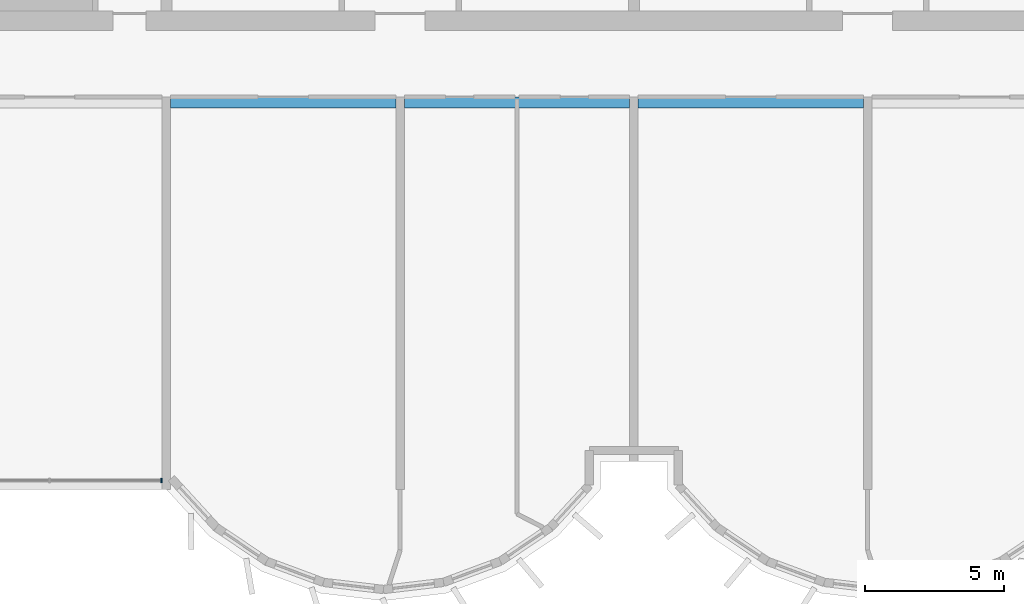
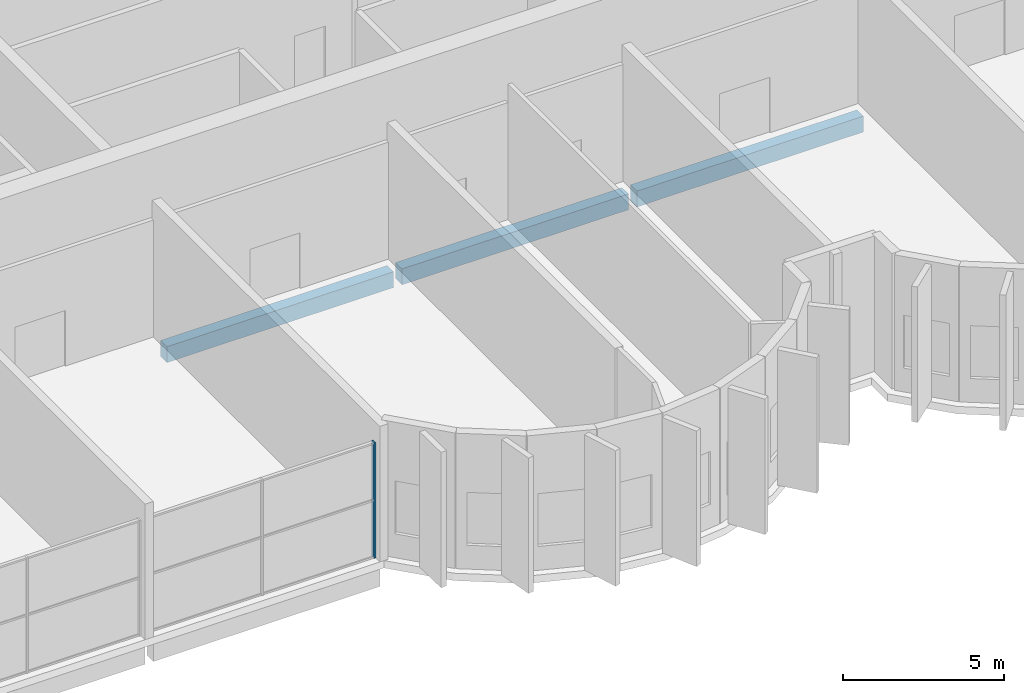
# One storey, part 3 of 19: 3 beams, 1 member, 1 element without a shape of its own.
"""IFC4 building model written with IfcOpenShell, lengths in metres."""

import ifcopenshell
import ifcopenshell.guid

model = None  # the IFC model being written
_history = None  # IfcOwnerHistory: only IFC2X3 demands one
_inside = {}  # id of a spatial element -> (the spatial element, [elements in it])
_under = {}  # id of a project, library or spatial element -> (it, [spatial elements below it])
_declared = {}  # id of a project -> (the project, [libraries it declares])
_typed = {}  # id of a type object -> (the type object, [elements of that type])
_made_of = {}  # id of a material, layer set ... -> (it, [elements and type objects made of it])


def new_model(schema):
    """Start an empty IFC model of exactly this schema.

    Asked for "IFC4X3", IfcOpenShell would pick the latest addendum, in which some entities
    have other attributes; the version numbers below select the first issue.
    IFC2X3 requires an IfcOwnerHistory on every rooted entity: one is made here for all.
    """
    global model, _history
    if schema == "IFC4X3":
        model = ifcopenshell.file(schema_version=(4, 3, 0, 0))
    else:
        model = ifcopenshell.file(schema=schema)
    _inside.clear()
    _under.clear()
    _declared.clear()
    _typed.clear()
    _made_of.clear()
    _history = None
    if model.schema == "IFC2X3":
        org = make("IfcOrganization", Name="unknown")
        user = make(
            "IfcPersonAndOrganization",
            ThePerson=make("IfcPerson", FamilyName="unknown"),
            TheOrganization=org,
        )
        app = make(
            "IfcApplication",
            ApplicationDeveloper=org,
            Version="unknown",
            ApplicationFullName="unknown",
            ApplicationIdentifier="unknown",
        )
        _history = make(
            "IfcOwnerHistory",
            OwningUser=user,
            OwningApplication=app,
            ChangeAction="ADDED",
            CreationDate=0,
        )
    return model


def make(cls, **values):
    """One entity of the class cls with the attributes given. An attribute that is None is left unset."""
    return model.create_entity(
        cls, **{name: value for name, value in values.items() if value is not None}
    )


def rooted(cls, **values):
    """An entity with a GlobalId (a new one), such as an element, a storey or a relation."""
    return make(cls, GlobalId=ifcopenshell.guid.new(), OwnerHistory=_history, **values)


def si_unit(unit_type, name, prefix=None):
    """IfcSIUnit, for example si_unit("LENGTHUNIT", "METRE", prefix="MILLI")."""
    return make("IfcSIUnit", UnitType=unit_type, Prefix=prefix, Name=name)


def assignment(units):
    """IfcUnitAssignment: the units of a project."""
    return None if units is None else make("IfcUnitAssignment", Units=units)


def point(xyz):
    """IfcCartesianPoint."""
    return None if xyz is None else make("IfcCartesianPoint", Coordinates=xyz)


def direction(xyz):
    """IfcDirection."""
    return None if xyz is None else make("IfcDirection", DirectionRatios=xyz)


def frame(location, z_axis=None, x_axis=None):
    """IfcAxis2Placement3D, a coordinate frame: its origin and axes. An axis left out is left unset."""
    return make(
        "IfcAxis2Placement3D",
        Location=point(location),
        Axis=direction(z_axis),
        RefDirection=direction(x_axis),
    )


def frame_2d(location, x_axis=None):
    """IfcAxis2Placement2D, a coordinate frame in the plane: its origin and x axis."""
    return make(
        "IfcAxis2Placement2D", Location=point(location), RefDirection=direction(x_axis)
    )


def origin():
    """The frame at (0, 0, 0) with its axes left unset."""
    return frame((0.0, 0.0, 0.0))


def origin_2d():
    """The frame at (0, 0) in the plane with its x axis left unset."""
    return frame_2d((0.0, 0.0))


def place(relative_to, where):
    """IfcLocalPlacement: puts the frame where relative to a parent placement (None: the world)."""
    return make(
        "IfcLocalPlacement", PlacementRelTo=relative_to, RelativePlacement=where
    )


def context(
    kind, dimensions, precision=None, world=None, true_north=None, identifier=None
):
    """IfcGeometricRepresentationContext, for example the 3D "Model" context."""
    return make(
        "IfcGeometricRepresentationContext",
        ContextIdentifier=identifier,
        ContextType=kind,
        CoordinateSpaceDimension=dimensions,
        Precision=precision,
        WorldCoordinateSystem=world,
        TrueNorth=true_north,
    )


def subcontext(parent, identifier, kind, view, scale=None):
    """IfcGeometricRepresentationSubContext, for example "Body" below "Model"."""
    return make(
        "IfcGeometricRepresentationSubContext",
        ContextIdentifier=identifier,
        ContextType=kind,
        ParentContext=parent,
        TargetScale=scale,
        TargetView=view,
    )


def project(units=None, contexts=None):
    """IfcProject with its units and contexts."""
    return rooted(
        "IfcProject",
        Name="project",
        RepresentationContexts=contexts,
        UnitsInContext=assignment(units),
    )


def spatial(cls, under=None, at=None, **own):
    """A site, building, storey or space (cls), placed at a placement, below another one or the project."""
    s = rooted(cls, ObjectPlacement=at, **own)
    if under is not None:
        _under.setdefault(under.id(), (under, []))[1].append(s)
    return s


def profile(cls, at=None, kind="AREA", **sizes):
    """A parametric profile (cls). Its sizes go by their IFC names, for example OverallWidth=200.0."""
    return make(cls, ProfileType=kind, Position=at, **sizes)


def rectangle(**sizes):
    """IfcRectangleProfileDef."""
    return profile("IfcRectangleProfileDef", **sizes)


def extrude(swept, where, along, depth):
    """IfcExtrudedAreaSolid: the profile swept, set in the frame where, extruded along a direction by depth."""
    return make(
        "IfcExtrudedAreaSolid",
        SweptArea=swept,
        Position=where,
        ExtrudedDirection=direction(along),
        Depth=depth,
    )


def shape(context_of_items, identifier, shape_type, items):
    """IfcShapeRepresentation: the items that make up one representation, for example the "Body"."""
    return make(
        "IfcShapeRepresentation",
        ContextOfItems=context_of_items,
        RepresentationIdentifier=identifier,
        RepresentationType=shape_type,
        Items=items,
    )


def source(mapping_origin, context_of_items, identifier, shape_type, items):
    """IfcRepresentationMap: a shape defined once, which mapped items show again and again."""
    return make(
        "IfcRepresentationMap",
        MappingOrigin=mapping_origin,
        MappedRepresentation=shape(context_of_items, identifier, shape_type, items),
    )


def transform(
    local_origin,
    x_axis=None,
    y_axis=None,
    z_axis=None,
    scale=None,
    scale2=None,
    scale3=None,
    uniform=True,
):
    """IfcCartesianTransformationOperator3D, or its non-uniform kind. x_axis, y_axis, z_axis: its Axis1, 2, 3."""
    if uniform:
        return make(
            "IfcCartesianTransformationOperator3D",
            Axis1=direction(x_axis),
            Axis2=direction(y_axis),
            LocalOrigin=point(local_origin),
            Scale=scale,
            Axis3=direction(z_axis),
        )
    return make(
        "IfcCartesianTransformationOperator3DnonUniform",
        Axis1=direction(x_axis),
        Axis2=direction(y_axis),
        LocalOrigin=point(local_origin),
        Scale=scale,
        Axis3=direction(z_axis),
        Scale2=scale2,
        Scale3=scale3,
    )


def mapped(mapping_source, mapping_target):
    """IfcMappedItem: shows the shape of a source again, moved by a transform."""
    return make(
        "IfcMappedItem", MappingSource=mapping_source, MappingTarget=mapping_target
    )


def material(Name=None, Category=None):
    """IfcMaterial."""
    return make("IfcMaterial", Name=Name, Category=Category)


def material_profile(
    of_material, cross_section, Name=None, Category=None, Priority=None
):
    """IfcMaterialProfile: a cross section and its material."""
    return make(
        "IfcMaterialProfile",
        Name=Name,
        Material=of_material,
        Profile=cross_section,
        Priority=Priority,
        Category=Category,
    )


def profile_set(profiles, Name=None, composite=None):
    """IfcMaterialProfileSet."""
    return make(
        "IfcMaterialProfileSet",
        Name=Name,
        MaterialProfiles=profiles,
        CompositeProfile=composite,
    )


def made_of(thing, what):
    """Note that an element or type object is made of a material, layer set ...; save() writes the relation."""
    if what is not None:
        _made_of.setdefault(what.id(), (what, []))[1].append(thing)
    return thing


def type_object(cls, material=None, **own):
    """A type object (cls), such as IfcWallType, which elements share."""
    return made_of(rooted(cls, **own), material)


def element(
    cls,
    number,
    at=None,
    inside=None,
    cuts=None,
    type_object=None,
    material=None,
    context=None,
    identifier="Body",
    shape_type=None,
    held_by="IfcProductDefinitionShape",
    body=None,
    shapes=None,
    **own,
):
    """One element of the class cls, such as IfcWall. Its Tag is "e" and its number.

    at: its placement. inside: the storey or other place that contains it. cuts: it is an
    opening in that element (IfcRelVoidsElement). A single representation is given by context,
    identifier, shape_type and body (its items); several are given by shapes. held_by: the class
    of the entity that holds the representations. save() writes the other relations.
    """
    e = rooted(cls, Tag="e%d" % number, ObjectPlacement=at, **own)
    if body is not None:
        shapes = [shape(context, identifier, shape_type, body)]
    if shapes is not None:
        e.Representation = make(held_by, Representations=shapes)
    if inside is not None:
        _inside.setdefault(inside.id(), (inside, []))[1].append(e)
    if cuts is not None:
        rooted(
            "IfcRelVoidsElement", RelatingBuildingElement=cuts, RelatedOpeningElement=e
        )
    if type_object is not None:
        _typed.setdefault(type_object.id(), (type_object, []))[1].append(e)
    return made_of(e, material)


def aggregate(whole, parts):
    """IfcRelAggregates: a whole, such as a stair, and the parts it consists of."""
    return rooted("IfcRelAggregates", RelatingObject=whole, RelatedObjects=parts)


def save(model, path):
    """Write the relations noted so far, then the file.

    IfcRelAggregates (storeys below a building ...), IfcRelContainedInSpatialStructure (elements
    in a storey), IfcRelDefinesByType, IfcRelAssociatesMaterial and IfcRelDeclares: one each for
    every whole, place, type object, material and project.
    """
    for whole, parts in _under.values():
        aggregate(whole, parts)
    for where, things in _inside.values():
        rooted(
            "IfcRelContainedInSpatialStructure",
            RelatedElements=things,
            RelatingStructure=where,
        )
    for kind, things in _typed.values():
        rooted("IfcRelDefinesByType", RelatedObjects=things, RelatingType=kind)
    for what, things in _made_of.values():
        rooted("IfcRelAssociatesMaterial", RelatedObjects=things, RelatingMaterial=what)
    for by, libraries in _declared.values():
        rooted("IfcRelDeclares", RelatingContext=by, RelatedDefinitions=libraries)
    model.write(path)


model = new_model("IFC4")

# Units and contexts
model_context = context("Model", 3, precision=1e-05, world=origin(), true_north=direction((0.0, 1.0)))
body_context = subcontext(model_context, "Body", "Model", "MODEL_VIEW")
ifc_project = project(units=[si_unit("LENGTHUNIT", "METRE"), si_unit("AREAUNIT", "SQUARE_METRE"), si_unit("VOLUMEUNIT", "CUBIC_METRE"), si_unit("PLANEANGLEUNIT", "RADIAN"), si_unit("MASSUNIT", "GRAM", prefix="KILO")], contexts=[model_context])

# Site, building, storey
site_placement = place(None, origin())
site = spatial("IfcSite", under=ifc_project, at=site_placement, CompositionType="ELEMENT")
building_placement = place(site_placement, origin())
building = spatial("IfcBuilding", under=site, at=building_placement, Name="Vanashikhar Sky Hotel", CompositionType="ELEMENT")
storey_placement = place(building_placement, frame((0.0, 0.0, 146.199951171875)))
storey = spatial("IfcBuildingStorey", under=building, at=storey_placement, Name="L35", CompositionType="ELEMENT", Elevation=146.199951171875)

# Beams
ifc_material_1 = material(Name="Concrete M50", Category="concrete")
ifc_material_profile_1 = material_profile(ifc_material_1, rectangle(XDim=0.39990234375, YDim=0.60009765625, at=origin_2d()))
ifc_profile_set_1 = profile_set([ifc_material_profile_1], Name="RC 400x600 beam Concrete M50")
beam_type = type_object("IfcBeamType", Name="RC 400x600 beam Concrete M50", PredefinedType="BEAM", material=ifc_profile_set_1)
shared_shape_1 = source(origin(), body_context, "Body", "SweptSolid", [
    extrude(rectangle(XDim=0.39990234375, YDim=0.60009765625, at=origin_2d()), origin(), (0.0, 0.0, 1.0), 8.099853515625),
])
beam_placement = place(storey_placement, frame((50.550048828125, 19.39990234375, -0.579833984375), z_axis=(1.0, 0.0, 0.0), x_axis=(0.0, 1.0, 0.0)))
element("IfcBeam", 1, at=beam_placement, inside=storey, type_object=beam_type, Name="CB-L35-04", PredefinedType="BEAM", context=body_context, shape_type="MappedRepresentation", body=[
    mapped(shared_shape_1, transform((0.0, 0.0, 0.0), scale=1.0)),
])
shared_shape_2 = source(origin(), body_context, "Body", "SweptSolid", [
    extrude(rectangle(XDim=0.39990234375, YDim=0.60009765625, at=origin_2d()), origin(), (0.0, 0.0, 1.0), 8.10009765625),
])
for number, where, z_axis, x_axis, name in (
    (2, (33.75, 19.39990234375, -0.579833984375), (1.0, 0.0, 0.0), (0.0, 1.0, 0.0), "CB-L35-02"),
    (3, (42.14990234375, 19.39990234375, -0.579833984375), (1.0, 0.0, 0.0), (0.0, 1.0, 0.0), "CB-L35-03"),
):
    element("IfcBeam", number, at=place(storey_placement, frame(where, z_axis=z_axis, x_axis=x_axis)), inside=storey, type_object=beam_type, Name=name, PredefinedType="BEAM", context=body_context, shape_type="MappedRepresentation", body=[
        mapped(shared_shape_2, transform((0.0, 0.0, 0.0), scale=1.0)),
    ])

# Curtain wall, member
ifc_material_2 = material(Name="Glass", Category="glass")
curtain_wall_type = type_object("IfcCurtainWallType", Name="Sky lobby curtain wall", PredefinedType="NOTDEFINED", material=ifc_material_2)
curtain_wall_placement = place(storey_placement, origin())
curtain_wall = element("IfcCurtainWall", 4, at=curtain_wall_placement, inside=storey, type_object=curtain_wall_type, Name="Sky lobby curtain wall", PredefinedType="NOTDEFINED")
ifc_material_3 = material(Name="Aluminium 6063-T6", Category="aluminium")
ifc_material_profile_2 = material_profile(ifc_material_3, rectangle(XDim=0.159912109375, YDim=0.06005859375, at=origin_2d()))
ifc_profile_set_2 = profile_set([ifc_material_profile_2], Name="Aluminium 6063-T6")
member_type = type_object("IfcMemberType", Name="Sky lobby mullion 60 x 160", PredefinedType="MULLION", material=ifc_profile_set_2)
shared_shape_3 = source(origin(), body_context, "Body", "SweptSolid", [
    extrude(rectangle(XDim=0.159912109375, YDim=0.06005859375, at=origin_2d()), origin(), (0.0, 0.0, 1.0), 4.3701171875),
])
member_placement = place(storey_placement, frame((33.419921875, 5.824951171875, 0.0), z_axis=(0.0, 0.0, 1.0), x_axis=(0.0, 1.0, 0.0)))
member = element("IfcMember", 5, at=member_placement, type_object=member_type, Name="CW-4 mullion 3", PredefinedType="MULLION", context=body_context, shape_type="MappedRepresentation", body=[
    mapped(shared_shape_3, transform((0.0, 0.0, 0.0), scale=1.0)),
])
aggregate(curtain_wall, [member])

save(model, "model.ifc")
